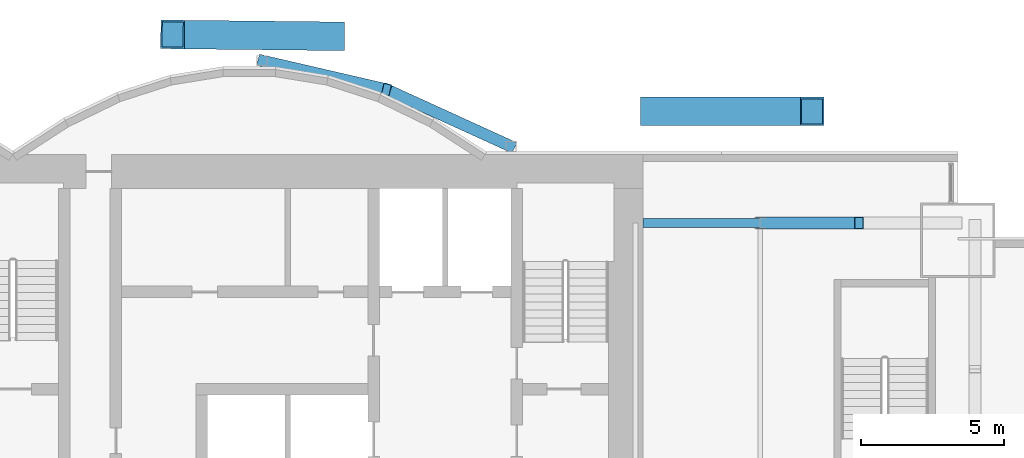
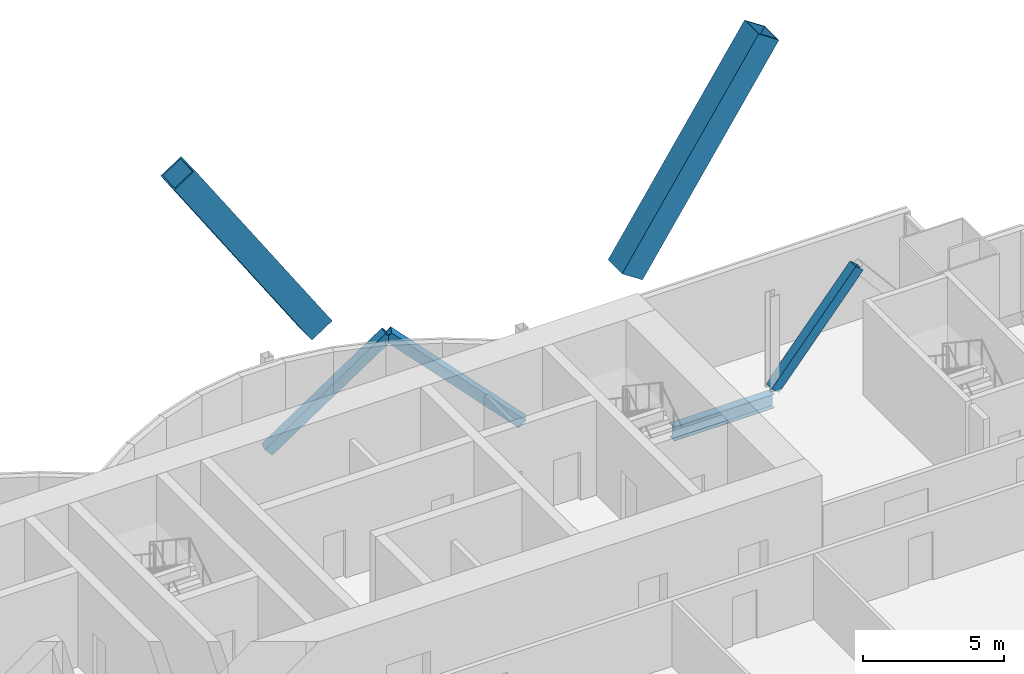
# One storey, part 11 of 20: 5 members, 1 beam.
"""IFC4 building model written with IfcOpenShell, lengths in metres."""

from ifc_helpers import new_model, si_unit, direction, frame, origin, origin_2d, place, context, subcontext, project, spatial, hollow_rectangle, i_section, extrude, material, material_profile, profile_set, type_object, element, save


model = new_model("IFC4")

# Units and contexts
model_context = context("Model", 3, precision=1e-05, world=origin(), true_north=direction((0.0, 1.0)))
body_context = subcontext(model_context, "Body", "Model", "MODEL_VIEW")
ifc_project = project(units=[si_unit("LENGTHUNIT", "METRE"), si_unit("AREAUNIT", "SQUARE_METRE"), si_unit("VOLUMEUNIT", "CUBIC_METRE"), si_unit("PLANEANGLEUNIT", "RADIAN"), si_unit("MASSUNIT", "GRAM", prefix="KILO")], contexts=[model_context])

# Site, building, storey
site_placement = place(None, origin())
site = spatial("IfcSite", under=ifc_project, at=site_placement, CompositionType="ELEMENT")
building_placement = place(site_placement, origin())
building = spatial("IfcBuilding", under=site, at=building_placement, Name="Bicima Exchange Tower", CompositionType="ELEMENT")
storey_placement = place(building_placement, frame((0.0, 0.0, 219.60009765625)))
storey = spatial("IfcBuildingStorey", under=building, at=storey_placement, Name="L49", CompositionType="ELEMENT", Elevation=219.60009765625)

# Members
ifc_material_1 = material(Name="Steel ASTM A572 Gr 50", Category="steel")
ifc_material_profile_1 = material_profile(ifc_material_1, hollow_rectangle(XDim=1.0, YDim=1.0, WallThickness=0.06005859375, at=origin_2d()))
ifc_profile_set_1 = profile_set([ifc_material_profile_1], Name="Steel ASTM A572 Gr 50")
member_type_1 = type_object("IfcMemberType", Name="Exo mega brace BOX 1000x1000x60", PredefinedType="BRACE", material=ifc_profile_set_1)
member_1_placement = place(storey_placement, frame((22.333251953125, 1.5, 4.066650390625), z_axis=(0.55281335708, 0.0, 0.833305101529), x_axis=(0.0, 1.0, 0.0)))
element("IfcMember", 1, at=member_1_placement, inside=storey, type_object=member_type_1, Name="Exo mega brace rear", PredefinedType="BRACE", context=body_context, shape_type="SweptSolid", body=[
    extrude(hollow_rectangle(XDim=1.0, YDim=1.0, WallThickness=0.06005859375, at=origin_2d()), origin(), (0.0, 0.0, 1.0), 10.10009765625),
])
member_2_placement = place(storey_placement, frame((11.166748046875, 4.125, 4.066650390625), z_axis=(-0.552803101452, 0.006091227878, 0.833289642302), x_axis=(-0.011018133066, -0.99993929853, 0.0)))
element("IfcMember", 2, at=member_2_placement, inside=storey, type_object=member_type_1, Name="Exo mega brace rear", PredefinedType="BRACE", context=body_context, shape_type="SweptSolid", body=[
    extrude(hollow_rectangle(XDim=1.0, YDim=1.0, WallThickness=0.06005859375, at=origin_2d()), origin(), (0.0, 0.0, 1.0), 10.100341796875),
])
ifc_material_profile_2 = material_profile(ifc_material_1, hollow_rectangle(XDim=0.406494140625, YDim=0.406494140625, WallThickness=0.0146484375, at=origin_2d()))
ifc_profile_set_2 = profile_set([ifc_material_profile_2], Name="Steel ASTM A572 Gr 50")
member_type_2 = type_object("IfcMemberType", Name="Mega brace HSS16x16x5/8", PredefinedType="BRACE", material=ifc_profile_set_2)
member_3_placement = place(storey_placement, frame((8.699951171875, 3.26904296875, 0.0), z_axis=(0.717625168184, -0.166055032463, 0.676342993002), x_axis=(0.225438503722, 0.974257399787, 0.0)))
element("IfcMember", 3, at=member_3_placement, inside=storey, type_object=member_type_2, Name="Mega brace rexo", PredefinedType="BRACE", context=body_context, shape_type="SweptSolid", body=[
    extrude(hollow_rectangle(XDim=0.406494140625, YDim=0.406494140625, WallThickness=0.0146484375, at=origin_2d()), origin(), (0.0, 0.0, 1.0), 6.061767578125),
])
member_4_placement = place(storey_placement, frame((17.39990234375, 0.278076171875, 0.0), z_axis=(-0.690646390594, 0.3150684101, 0.650952732629), x_axis=(-0.415045223819, -0.909800781592, 0.0)))
element("IfcMember", 4, at=member_4_placement, inside=storey, type_object=member_type_2, Name="Mega brace rexo", PredefinedType="BRACE", context=body_context, shape_type="SweptSolid", body=[
    extrude(hollow_rectangle(XDim=0.406494140625, YDim=0.406494140625, WallThickness=0.0146484375, at=origin_2d()), origin(), (0.0, 0.0, 1.0), 6.29833984375),
])
member_5_placement = place(storey_placement, frame((26.10009765625, -2.39990234375, 0.0), z_axis=(0.643856488545, 0.0, 0.765146275008), x_axis=(0.0, 1.0, 0.0)))
element("IfcMember", 5, at=member_5_placement, inside=storey, type_object=member_type_2, Name="Mega brace rear", PredefinedType="BRACE", context=body_context, shape_type="SweptSolid", body=[
    extrude(hollow_rectangle(XDim=0.406494140625, YDim=0.406494140625, WallThickness=0.0146484375, at=origin_2d()), origin(), (0.0, 0.0, 1.0), 5.358154296875),
])

# Beam
ifc_material_2 = material(Name="Steel ASTM A992 Gr 50", Category="steel")
ifc_material_profile_3 = material_profile(ifc_material_2, i_section(OverallWidth=0.3251953125, OverallDepth=0.612060546875, WebThickness=0.0126953125, FlangeThickness=0.01904296875, at=origin_2d()))
ifc_profile_set_3 = profile_set([ifc_material_profile_3], Name="Steel ASTM A992 Gr 50")
beam_type = type_object("IfcBeamType", Name="Rear girder W24x104", PredefinedType="BEAM", material=ifc_profile_set_3)
beam_placement = place(storey_placement, frame((22.0, -2.39990234375, -0.456298828125), z_axis=(1.0, 0.0, 0.0), x_axis=(0.0, 1.0, 0.0)))
element("IfcBeam", 6, at=beam_placement, inside=storey, type_object=beam_type, Name="Rear girder", PredefinedType="BEAM", context=body_context, shape_type="SweptSolid", body=[
    extrude(i_section(OverallWidth=0.3251953125, OverallDepth=0.612060546875, WebThickness=0.0126953125, FlangeThickness=0.01904296875, at=origin_2d()), origin(), (0.0, 0.0, 1.0), 4.10009765625),
])

save(model, "model.ifc")
